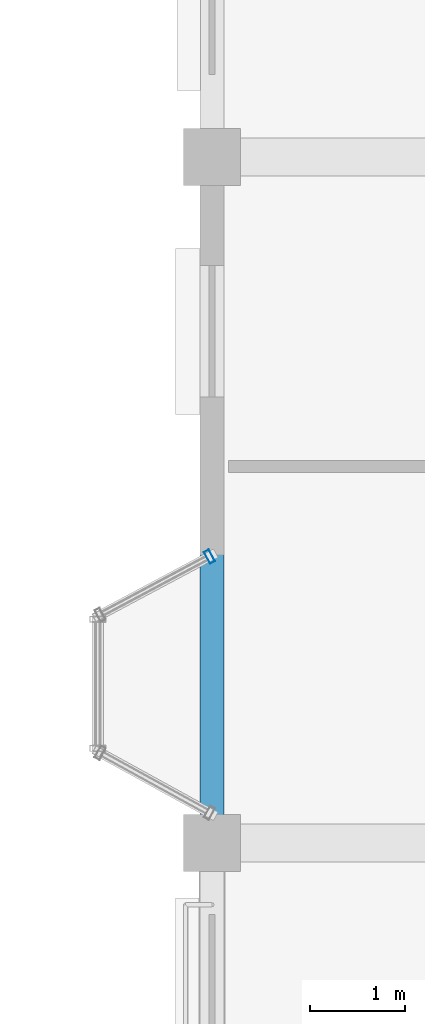
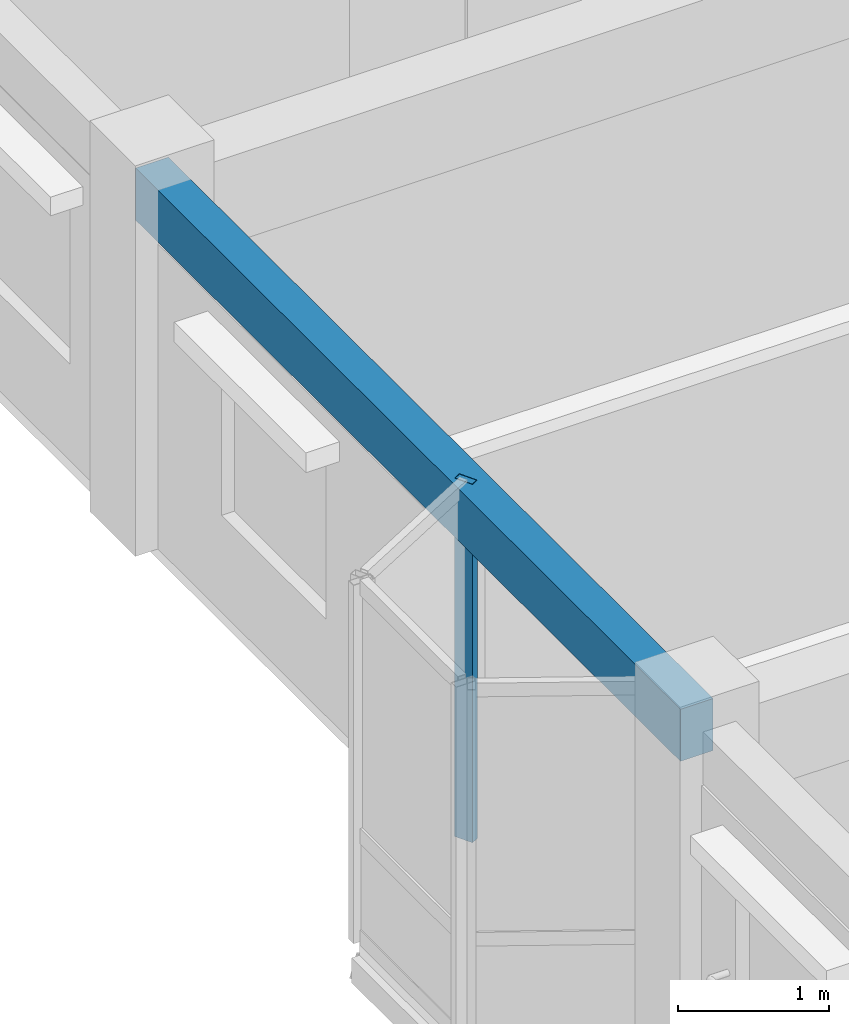
# One storey, part 53 of 124: 1 beam, 1 member, 1 element without a shape of its own.
"""IFC4 building model written with IfcOpenShell, lengths in metres."""

from ifc_helpers import new_model, si_unit, direction, frame, origin, origin_2d, place, context, subcontext, project, spatial, rectangle, hollow_rectangle, extrude, material, layer, layer_set, material_profile, profile_set, type_object, element, aggregate, save


model = new_model("IFC4")

# Units and contexts
model_context = context("Model", 3, precision=1e-05, world=origin(), true_north=direction((0.0, 1.0)))
body_context = subcontext(model_context, "Body", "Model", "MODEL_VIEW")
ifc_project = project(units=[si_unit("LENGTHUNIT", "METRE"), si_unit("AREAUNIT", "SQUARE_METRE"), si_unit("VOLUMEUNIT", "CUBIC_METRE"), si_unit("PLANEANGLEUNIT", "RADIAN"), si_unit("MASSUNIT", "GRAM", prefix="KILO"), si_unit("THERMODYNAMICTEMPERATUREUNIT", "KELVIN"), si_unit("POWERUNIT", "WATT")], contexts=[model_context])

# Site, building, storey
site_placement = place(None, origin())
site = spatial("IfcSite", under=ifc_project, at=site_placement, CompositionType="ELEMENT")
building_placement = place(site_placement, origin())
building = spatial("IfcBuilding", under=site, at=building_placement, Name="Tavuni Mirador Residences", CompositionType="ELEMENT")
storey_placement = place(building_placement, frame((0.0, 0.0, 7.64990234375)))
storey = spatial("IfcBuildingStorey", under=building, at=storey_placement, Name="L02", CompositionType="ELEMENT", Elevation=7.64990234375)

# Beam
ifc_material_1 = material(Name="Precast concrete C40/50", Category="concrete")
ifc_material_profile_1 = material_profile(ifc_material_1, rectangle(XDim=0.25, YDim=0.419921875, at=origin_2d()), Name="PC 250x420", Category="concrete")
ifc_profile_set_1 = profile_set([ifc_material_profile_1], Name="Precast concrete C40/50")
beam_type = type_object("IfcBeamType", Name="BT-SP420", PredefinedType="SPANDREL", material=ifc_profile_set_1)
beam_placement = place(storey_placement, frame((90.0, 108.0, 2.68017578125), z_axis=(0.0, 1.0, 0.0), x_axis=(-1.0, 0.0, 0.0)))
element("IfcBeam", 1, at=beam_placement, inside=storey, type_object=beam_type, Name="BMY-BLK-D-L02-00-03", PredefinedType="SPANDREL", context=body_context, shape_type="SweptSolid", body=[
    extrude(rectangle(XDim=0.25, YDim=0.419921875, at=origin_2d()), origin(), (0.0, 0.0, 1.0), 7.199951171875),
])

# Curtain wall, member
ifc_material_2 = material(Name="Anodised aluminium", Category="aluminium")
ifc_layer = layer(ifc_material_2, 0.1650390625, Name="Anodised aluminium", Category="aluminium")
ifc_layer_set = layer_set([ifc_layer], Name="Anodised aluminium")
curtain_wall_type = type_object("IfcCurtainWallType", Name="CWT-MIR-A", PredefinedType="NOTDEFINED", material=ifc_layer_set)
curtain_wall_placement = place(storey_placement, origin())
curtain_wall = element("IfcCurtainWall", 2, at=curtain_wall_placement, inside=storey, type_object=curtain_wall_type, Name="CW-MIR-D-W2-L02-M1", PredefinedType="NOTDEFINED")
ifc_material_profile_2 = material_profile(ifc_material_2, hollow_rectangle(XDim=0.06005859375, YDim=0.139892578125, WallThickness=0.00390625, at=origin_2d()), Name="ALU 60x140x4.0", Category="aluminium")
ifc_profile_set_2 = profile_set([ifc_material_profile_2], Name="Anodised aluminium")
member_type = type_object("IfcMemberType", Name="CWM-140", PredefinedType="MULLION", material=ifc_profile_set_2)
member_placement = place(storey_placement, frame((89.9736328125, 111.005859375, 0.0), z_axis=(0.0, 0.0, 1.0), x_axis=(-0.882352941175, -0.470588235296, 0.0)))
member = element("IfcMember", 3, at=member_placement, type_object=member_type, Name="CW-01 mullion 1", PredefinedType="MULLION", context=body_context, shape_type="SweptSolid", body=[
    extrude(hollow_rectangle(XDim=0.06005859375, YDim=0.139892578125, WallThickness=0.00390625, at=origin_2d()), origin(), (0.0, 0.0, 1.0), 2.89013671875),
])
aggregate(curtain_wall, [member])

save(model, "model.ifc")
